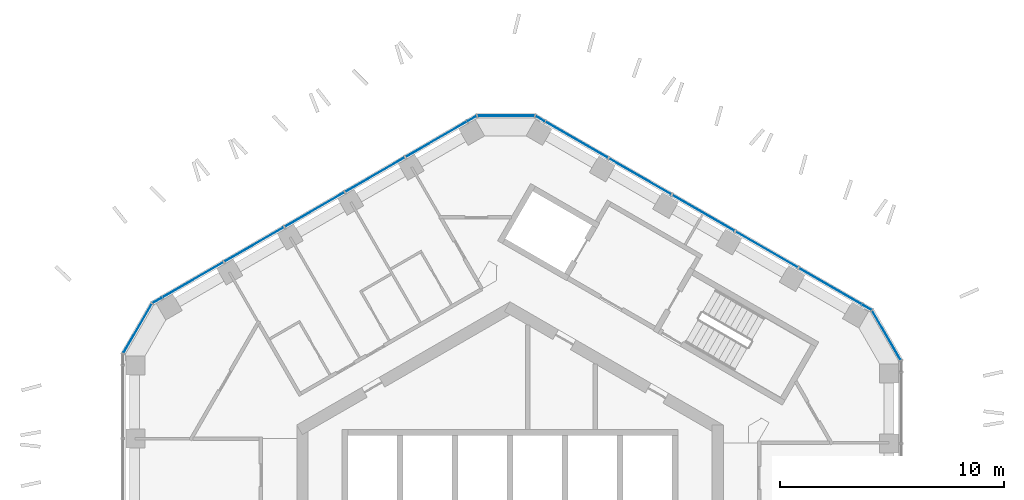
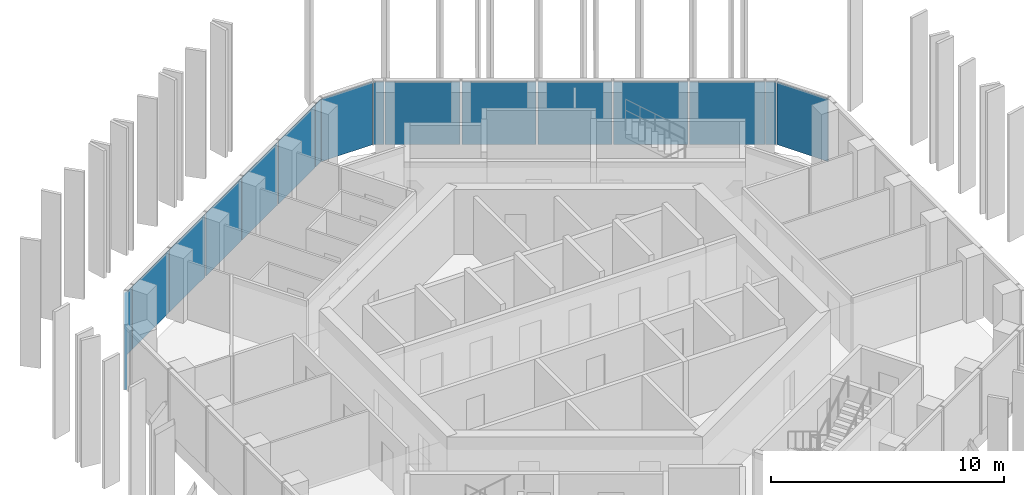
# One storey, part 11 of 18: 17 plates, 5 elements without a shape of their own.
"""IFC4 building model written with IfcOpenShell, lengths in metres."""

import ifcopenshell
import ifcopenshell.guid

model = None  # the IFC model being written
_history = None  # IfcOwnerHistory: only IFC2X3 demands one
_inside = {}  # id of a spatial element -> (the spatial element, [elements in it])
_under = {}  # id of a project, library or spatial element -> (it, [spatial elements below it])
_declared = {}  # id of a project -> (the project, [libraries it declares])
_typed = {}  # id of a type object -> (the type object, [elements of that type])
_made_of = {}  # id of a material, layer set ... -> (it, [elements and type objects made of it])


def new_model(schema):
    """Start an empty IFC model of exactly this schema.

    Asked for "IFC4X3", IfcOpenShell would pick the latest addendum, in which some entities
    have other attributes; the version numbers below select the first issue.
    IFC2X3 requires an IfcOwnerHistory on every rooted entity: one is made here for all.
    """
    global model, _history
    if schema == "IFC4X3":
        model = ifcopenshell.file(schema_version=(4, 3, 0, 0))
    else:
        model = ifcopenshell.file(schema=schema)
    _inside.clear()
    _under.clear()
    _declared.clear()
    _typed.clear()
    _made_of.clear()
    _history = None
    if model.schema == "IFC2X3":
        org = make("IfcOrganization", Name="unknown")
        user = make(
            "IfcPersonAndOrganization",
            ThePerson=make("IfcPerson", FamilyName="unknown"),
            TheOrganization=org,
        )
        app = make(
            "IfcApplication",
            ApplicationDeveloper=org,
            Version="unknown",
            ApplicationFullName="unknown",
            ApplicationIdentifier="unknown",
        )
        _history = make(
            "IfcOwnerHistory",
            OwningUser=user,
            OwningApplication=app,
            ChangeAction="ADDED",
            CreationDate=0,
        )
    return model


def make(cls, **values):
    """One entity of the class cls with the attributes given. An attribute that is None is left unset."""
    return model.create_entity(
        cls, **{name: value for name, value in values.items() if value is not None}
    )


def rooted(cls, **values):
    """An entity with a GlobalId (a new one), such as an element, a storey or a relation."""
    return make(cls, GlobalId=ifcopenshell.guid.new(), OwnerHistory=_history, **values)


def si_unit(unit_type, name, prefix=None):
    """IfcSIUnit, for example si_unit("LENGTHUNIT", "METRE", prefix="MILLI")."""
    return make("IfcSIUnit", UnitType=unit_type, Prefix=prefix, Name=name)


def assignment(units):
    """IfcUnitAssignment: the units of a project."""
    return None if units is None else make("IfcUnitAssignment", Units=units)


def point(xyz):
    """IfcCartesianPoint."""
    return None if xyz is None else make("IfcCartesianPoint", Coordinates=xyz)


def direction(xyz):
    """IfcDirection."""
    return None if xyz is None else make("IfcDirection", DirectionRatios=xyz)


def frame(location, z_axis=None, x_axis=None):
    """IfcAxis2Placement3D, a coordinate frame: its origin and axes. An axis left out is left unset."""
    return make(
        "IfcAxis2Placement3D",
        Location=point(location),
        Axis=direction(z_axis),
        RefDirection=direction(x_axis),
    )


def frame_2d(location, x_axis=None):
    """IfcAxis2Placement2D, a coordinate frame in the plane: its origin and x axis."""
    return make(
        "IfcAxis2Placement2D", Location=point(location), RefDirection=direction(x_axis)
    )


def origin():
    """The frame at (0, 0, 0) with its axes left unset."""
    return frame((0.0, 0.0, 0.0))


def origin_2d():
    """The frame at (0, 0) in the plane with its x axis left unset."""
    return frame_2d((0.0, 0.0))


def place(relative_to, where):
    """IfcLocalPlacement: puts the frame where relative to a parent placement (None: the world)."""
    return make(
        "IfcLocalPlacement", PlacementRelTo=relative_to, RelativePlacement=where
    )


def context(
    kind, dimensions, precision=None, world=None, true_north=None, identifier=None
):
    """IfcGeometricRepresentationContext, for example the 3D "Model" context."""
    return make(
        "IfcGeometricRepresentationContext",
        ContextIdentifier=identifier,
        ContextType=kind,
        CoordinateSpaceDimension=dimensions,
        Precision=precision,
        WorldCoordinateSystem=world,
        TrueNorth=true_north,
    )


def subcontext(parent, identifier, kind, view, scale=None):
    """IfcGeometricRepresentationSubContext, for example "Body" below "Model"."""
    return make(
        "IfcGeometricRepresentationSubContext",
        ContextIdentifier=identifier,
        ContextType=kind,
        ParentContext=parent,
        TargetScale=scale,
        TargetView=view,
    )


def project(units=None, contexts=None):
    """IfcProject with its units and contexts."""
    return rooted(
        "IfcProject",
        Name="project",
        RepresentationContexts=contexts,
        UnitsInContext=assignment(units),
    )


def spatial(cls, under=None, at=None, **own):
    """A site, building, storey or space (cls), placed at a placement, below another one or the project."""
    s = rooted(cls, ObjectPlacement=at, **own)
    if under is not None:
        _under.setdefault(under.id(), (under, []))[1].append(s)
    return s


def profile(cls, at=None, kind="AREA", **sizes):
    """A parametric profile (cls). Its sizes go by their IFC names, for example OverallWidth=200.0."""
    return make(cls, ProfileType=kind, Position=at, **sizes)


def rectangle(**sizes):
    """IfcRectangleProfileDef."""
    return profile("IfcRectangleProfileDef", **sizes)


def extrude(swept, where, along, depth):
    """IfcExtrudedAreaSolid: the profile swept, set in the frame where, extruded along a direction by depth."""
    return make(
        "IfcExtrudedAreaSolid",
        SweptArea=swept,
        Position=where,
        ExtrudedDirection=direction(along),
        Depth=depth,
    )


def shape(context_of_items, identifier, shape_type, items):
    """IfcShapeRepresentation: the items that make up one representation, for example the "Body"."""
    return make(
        "IfcShapeRepresentation",
        ContextOfItems=context_of_items,
        RepresentationIdentifier=identifier,
        RepresentationType=shape_type,
        Items=items,
    )


def material(Name=None, Category=None):
    """IfcMaterial."""
    return make("IfcMaterial", Name=Name, Category=Category)


def layer(
    of_material, thickness, ventilated=None, Name=None, Category=None, Priority=None
):
    """IfcMaterialLayer: one layer of a wall or slab, of a material (None: an air gap)."""
    return make(
        "IfcMaterialLayer",
        Material=of_material,
        LayerThickness=thickness,
        IsVentilated=ventilated,
        Name=Name,
        Category=Category,
        Priority=Priority,
    )


def layer_set(layers, Name=None):
    """IfcMaterialLayerSet."""
    return make("IfcMaterialLayerSet", MaterialLayers=layers, LayerSetName=Name)


def made_of(thing, what):
    """Note that an element or type object is made of a material, layer set ...; save() writes the relation."""
    if what is not None:
        _made_of.setdefault(what.id(), (what, []))[1].append(thing)
    return thing


def type_object(cls, material=None, **own):
    """A type object (cls), such as IfcWallType, which elements share."""
    return made_of(rooted(cls, **own), material)


def element(
    cls,
    number,
    at=None,
    inside=None,
    cuts=None,
    type_object=None,
    material=None,
    context=None,
    identifier="Body",
    shape_type=None,
    held_by="IfcProductDefinitionShape",
    body=None,
    shapes=None,
    **own,
):
    """One element of the class cls, such as IfcWall. Its Tag is "e" and its number.

    at: its placement. inside: the storey or other place that contains it. cuts: it is an
    opening in that element (IfcRelVoidsElement). A single representation is given by context,
    identifier, shape_type and body (its items); several are given by shapes. held_by: the class
    of the entity that holds the representations. save() writes the other relations.
    """
    e = rooted(cls, Tag="e%d" % number, ObjectPlacement=at, **own)
    if body is not None:
        shapes = [shape(context, identifier, shape_type, body)]
    if shapes is not None:
        e.Representation = make(held_by, Representations=shapes)
    if inside is not None:
        _inside.setdefault(inside.id(), (inside, []))[1].append(e)
    if cuts is not None:
        rooted(
            "IfcRelVoidsElement", RelatingBuildingElement=cuts, RelatedOpeningElement=e
        )
    if type_object is not None:
        _typed.setdefault(type_object.id(), (type_object, []))[1].append(e)
    return made_of(e, material)


def aggregate(whole, parts):
    """IfcRelAggregates: a whole, such as a stair, and the parts it consists of."""
    return rooted("IfcRelAggregates", RelatingObject=whole, RelatedObjects=parts)


def save(model, path):
    """Write the relations noted so far, then the file.

    IfcRelAggregates (storeys below a building ...), IfcRelContainedInSpatialStructure (elements
    in a storey), IfcRelDefinesByType, IfcRelAssociatesMaterial and IfcRelDeclares: one each for
    every whole, place, type object, material and project.
    """
    for whole, parts in _under.values():
        aggregate(whole, parts)
    for where, things in _inside.values():
        rooted(
            "IfcRelContainedInSpatialStructure",
            RelatedElements=things,
            RelatingStructure=where,
        )
    for kind, things in _typed.values():
        rooted("IfcRelDefinesByType", RelatedObjects=things, RelatingType=kind)
    for what, things in _made_of.values():
        rooted("IfcRelAssociatesMaterial", RelatedObjects=things, RelatingMaterial=what)
    for by, libraries in _declared.values():
        rooted("IfcRelDeclares", RelatingContext=by, RelatedDefinitions=libraries)
    model.write(path)


model = new_model("IFC4")

# Units and contexts
model_context = context("Model", 3, precision=1e-05, world=origin(), true_north=direction((0.0, 1.0)))
body_context = subcontext(model_context, "Body", "Model", "MODEL_VIEW")
ifc_project = project(units=[si_unit("LENGTHUNIT", "METRE"), si_unit("AREAUNIT", "SQUARE_METRE"), si_unit("VOLUMEUNIT", "CUBIC_METRE"), si_unit("PLANEANGLEUNIT", "RADIAN"), si_unit("MASSUNIT", "GRAM", prefix="KILO")], contexts=[model_context])

# Site, building, storey
site_placement = place(None, origin())
site = spatial("IfcSite", under=ifc_project, at=site_placement, CompositionType="ELEMENT")
building_placement = place(site_placement, origin())
building = spatial("IfcBuilding", under=site, at=building_placement, Name="Ayvan Gate Tower", CompositionType="ELEMENT")
storey_placement = place(building_placement, frame((0.0, 0.0, 229.10009765625)))
storey = spatial("IfcBuildingStorey", under=building, at=storey_placement, Name="L61", CompositionType="ELEMENT", Elevation=229.10009765625)

# Curtain wall, plates
ifc_material_1 = material(Name="Bronze anodised aluminium", Category="aluminium")
ifc_layer_1 = layer(ifc_material_1, 0.199951171875)
ifc_layer_set_1 = layer_set([ifc_layer_1], Name="Bronze anodised aluminium")
curtain_wall_type_1 = type_object("IfcCurtainWallType", Name="Stick curtain wall CW-2", PredefinedType="NOTDEFINED", material=ifc_layer_set_1)
curtain_wall_1_placement = place(storey_placement, origin())
curtain_wall_1 = element("IfcCurtainWall", 1, at=curtain_wall_1_placement, inside=storey, type_object=curtain_wall_type_1, Name="Stick curtain wall CW-2 L61", PredefinedType="NOTDEFINED")
ifc_material_2 = material(Name="Clear low-iron laminated glass", Category="glass")
ifc_layer_2 = layer(ifc_material_2, 0.028076171875)
ifc_layer_set_2 = layer_set([ifc_layer_2], Name="Clear low-iron laminated glass")
plate_type_1 = type_object("IfcPlateType", Name="Stick curtain wall CW-2 glass panel", PredefinedType="CURTAIN_PANEL", material=ifc_layer_set_2)
plate_1_placement = place(storey_placement, frame((-3.272705078125, 18.216552734375, 0.0), z_axis=(0.0, 0.0, 1.0), x_axis=(-0.866025403784, -0.5, 0.0)))
plate_1 = element("IfcPlate", 2, at=plate_1_placement, type_object=plate_type_1, Name="CW-2 glass panel 1", PredefinedType="CURTAIN_PANEL", context=body_context, shape_type="SweptSolid", body=[
    extrude(rectangle(XDim=3.14501953125, YDim=0.028076171875, at=origin_2d()), origin(), (0.0, 0.0, 1.0), 3.280029296875),
])
plate_2_placement = place(storey_placement, frame((-6.011962890625, 16.63525390625, 0.0), z_axis=(0.0, 0.0, 1.0), x_axis=(-0.866025403784, -0.5, 0.0)))
plate_2 = element("IfcPlate", 3, at=plate_2_placement, type_object=plate_type_1, Name="CW-2 glass panel 2", PredefinedType="CURTAIN_PANEL", context=body_context, shape_type="SweptSolid", body=[
    extrude(rectangle(XDim=3.041015625, YDim=0.028076171875, at=origin_2d()), origin(), (0.0, 0.0, 1.0), 3.280029296875),
])
plate_3_placement = place(storey_placement, frame((-8.706298828125, 15.07958984375, 0.0), z_axis=(0.0, 0.0, 1.0), x_axis=(-0.866025403784, -0.5, 0.0)))
plate_3 = element("IfcPlate", 4, at=plate_3_placement, type_object=plate_type_1, Name="CW-2 glass panel 3", PredefinedType="CURTAIN_PANEL", context=body_context, shape_type="SweptSolid", body=[
    extrude(rectangle(XDim=3.041015625, YDim=0.028076171875, at=origin_2d()), origin(), (0.0, 0.0, 1.0), 3.280029296875),
])
plate_4_placement = place(storey_placement, frame((-11.400390625, 13.524169921875, 0.0), z_axis=(0.0, 0.0, 1.0), x_axis=(-0.866025403784, -0.5, 0.0)))
plate_4 = element("IfcPlate", 5, at=plate_4_placement, type_object=plate_type_1, Name="CW-2 glass panel 4", PredefinedType="CURTAIN_PANEL", context=body_context, shape_type="SweptSolid", body=[
    extrude(rectangle(XDim=3.041015625, YDim=0.028076171875, at=origin_2d()), origin(), (0.0, 0.0, 1.0), 3.280029296875),
])
plate_5_placement = place(storey_placement, frame((-14.1396484375, 11.942626953125, 0.0), z_axis=(0.0, 0.0, 1.0), x_axis=(-0.866025403784, -0.5, 0.0)))
plate_5 = element("IfcPlate", 6, at=plate_5_placement, type_object=plate_type_1, Name="CW-2 glass panel 5", PredefinedType="CURTAIN_PANEL", context=body_context, shape_type="SweptSolid", body=[
    extrude(rectangle(XDim=3.14501953125, YDim=0.028076171875, at=origin_2d()), origin(), (0.0, 0.0, 1.0), 3.280029296875),
])
aggregate(curtain_wall_1, [plate_1, plate_2, plate_3, plate_4, plate_5])

curtain_wall_2_placement = place(storey_placement, origin())
curtain_wall_2 = element("IfcCurtainWall", 7, at=curtain_wall_2_placement, inside=storey, type_object=curtain_wall_type_1, Name="Stick curtain wall CW-2 L61", PredefinedType="NOTDEFINED")
plate_6_placement = place(storey_placement, frame((14.27783203125, 11.6572265625, 0.0), z_axis=(0.0, 0.0, 1.0), x_axis=(-0.866025403784, 0.5, 0.0)))
plate_6 = element("IfcPlate", 8, at=plate_6_placement, type_object=plate_type_1, Name="CW-2 glass panel 1", PredefinedType="CURTAIN_PANEL", context=body_context, shape_type="SweptSolid", body=[
    extrude(rectangle(XDim=3.237060546875, YDim=0.028076171875, at=origin_2d()), origin(), (0.0, 0.0, 1.0), 3.280029296875),
])
plate_7_placement = place(storey_placement, frame((11.4365234375, 13.2978515625, 0.0), z_axis=(0.0, 0.0, 1.0), x_axis=(-0.866025403784, 0.5, 0.0)))
plate_7 = element("IfcPlate", 9, at=plate_7_placement, type_object=plate_type_1, Name="CW-2 glass panel 2", PredefinedType="CURTAIN_PANEL", context=body_context, shape_type="SweptSolid", body=[
    extrude(rectangle(XDim=3.18505859375, YDim=0.028076171875, at=origin_2d()), origin(), (0.0, 0.0, 1.0), 3.280029296875),
])
plate_8_placement = place(storey_placement, frame((8.617431640625, 14.92529296875, 0.0), z_axis=(0.0, 0.0, 1.0), x_axis=(-0.866025403784, 0.5, 0.0)))
plate_8 = element("IfcPlate", 10, at=plate_8_placement, type_object=plate_type_1, Name="CW-2 glass panel 3", PredefinedType="CURTAIN_PANEL", context=body_context, shape_type="SweptSolid", body=[
    extrude(rectangle(XDim=3.18505859375, YDim=0.028076171875, at=origin_2d()), origin(), (0.0, 0.0, 1.0), 3.280029296875),
])
plate_9_placement = place(storey_placement, frame((5.798095703125, 16.552978515625, 0.0), z_axis=(0.0, 0.0, 1.0), x_axis=(-0.866025403784, 0.5, 0.0)))
plate_9 = element("IfcPlate", 11, at=plate_9_placement, type_object=plate_type_1, Name="CW-2 glass panel 4", PredefinedType="CURTAIN_PANEL", context=body_context, shape_type="SweptSolid", body=[
    extrude(rectangle(XDim=3.18603515625, YDim=0.028076171875, at=origin_2d()), origin(), (0.0, 0.0, 1.0), 3.280029296875),
])
plate_10_placement = place(storey_placement, frame((2.95654296875, 18.193603515625, 0.0), z_axis=(0.0, 0.0, 1.0), x_axis=(-0.866025403784, 0.5, 0.0)))
plate_10 = element("IfcPlate", 12, at=plate_10_placement, type_object=plate_type_1, Name="CW-2 glass panel 5", PredefinedType="CURTAIN_PANEL", context=body_context, shape_type="SweptSolid", body=[
    extrude(rectangle(XDim=3.23681640625, YDim=0.028076171875, at=origin_2d()), origin(), (0.0, 0.0, 1.0), 3.280029296875),
])
aggregate(curtain_wall_2, [plate_6, plate_7, plate_8, plate_9, plate_10])

ifc_layer_3 = layer(ifc_material_1, 0.199951171875)
ifc_layer_set_3 = layer_set([ifc_layer_3], Name="Bronze anodised aluminium")
curtain_wall_type_2 = type_object("IfcCurtainWallType", Name="Stick curtain wall CW-6", PredefinedType="NOTDEFINED", material=ifc_layer_set_3)
curtain_wall_3_placement = place(storey_placement, origin())
curtain_wall_3 = element("IfcCurtainWall", 13, at=curtain_wall_3_placement, inside=storey, type_object=curtain_wall_type_2, Name="Stick curtain wall CW-6 L61", PredefinedType="NOTDEFINED")
ifc_layer_4 = layer(ifc_material_2, 0.028076171875)
ifc_layer_set_4 = layer_set([ifc_layer_4], Name="Clear low-iron laminated glass")
plate_type_2 = type_object("IfcPlateType", Name="Stick curtain wall CW-6 glass panel", PredefinedType="CURTAIN_PANEL", material=ifc_layer_set_4)
plate_11_placement = place(storey_placement, frame((-15.7265625, 11.0263671875, 0.0), z_axis=(0.0, 0.0, 1.0), x_axis=(-0.866025403784, -0.5, 0.0)))
plate_11 = element("IfcPlate", 14, at=plate_11_placement, type_object=plate_type_2, Name="CW-6 glass panel 1", PredefinedType="CURTAIN_PANEL", context=body_context, shape_type="SweptSolid", body=[
    extrude(rectangle(XDim=0.449951171875, YDim=0.028076171875, at=origin_2d()), origin(), (0.0, 0.0, 1.0), 3.280029296875),
])
plate_12_placement = place(storey_placement, frame((-16.5888671875, 9.783203125, 0.0), z_axis=(0.0, 0.0, 1.0), x_axis=(-0.5, -0.866025403784, 0.0)))
plate_12 = element("IfcPlate", 15, at=plate_12_placement, type_object=plate_type_2, Name="CW-6 glass panel 2", PredefinedType="CURTAIN_PANEL", context=body_context, shape_type="SweptSolid", body=[
    extrude(rectangle(XDim=2.532470703125, YDim=0.028076171875, at=origin_2d()), origin(), (0.0, 0.0, 1.0), 3.280029296875),
])
aggregate(curtain_wall_3, [plate_11, plate_12])

curtain_wall_4_placement = place(storey_placement, origin())
curtain_wall_4 = element("IfcCurtainWall", 16, at=curtain_wall_4_placement, inside=storey, type_object=curtain_wall_type_2, Name="Stick curtain wall CW-6 L61", PredefinedType="NOTDEFINED")
plate_13_placement = place(storey_placement, frame((16.766845703125, 9.474853515625, 0.0), z_axis=(0.0, 0.0, 1.0), x_axis=(-0.5, 0.866025403784, 0.0)))
plate_13 = element("IfcPlate", 17, at=plate_13_placement, type_object=plate_type_2, Name="CW-6 glass panel 2", PredefinedType="CURTAIN_PANEL", context=body_context, shape_type="SweptSolid", body=[
    extrude(rectangle(XDim=2.532470703125, YDim=0.028076171875, at=origin_2d()), origin(), (0.0, 0.0, 1.0), 3.280029296875),
])
plate_14_placement = place(storey_placement, frame((15.90478515625, 10.718017578125, 0.0), z_axis=(0.0, 0.0, 1.0), x_axis=(-0.866025403784, 0.5, 0.0)))
plate_14 = element("IfcPlate", 18, at=plate_14_placement, type_object=plate_type_2, Name="CW-6 glass panel 3", PredefinedType="CURTAIN_PANEL", context=body_context, shape_type="SweptSolid", body=[
    extrude(rectangle(XDim=0.449951171875, YDim=0.028076171875, at=origin_2d()), origin(), (0.0, 0.0, 1.0), 3.280029296875),
])
aggregate(curtain_wall_4, [plate_13, plate_14])

curtain_wall_5_placement = place(storey_placement, origin())
curtain_wall_5 = element("IfcCurtainWall", 19, at=curtain_wall_5_placement, inside=storey, type_object=curtain_wall_type_2, Name="Stick curtain wall CW-6 L61", PredefinedType="NOTDEFINED")
plate_15_placement = place(storey_placement, frame((1.329833984375, 19.1328125, 0.0), z_axis=(0.0, 0.0, 1.0), x_axis=(-0.866025403784, 0.5, 0.0)))
plate_15 = element("IfcPlate", 20, at=plate_15_placement, type_object=plate_type_2, Name="CW-6 glass panel 1", PredefinedType="CURTAIN_PANEL", context=body_context, shape_type="SweptSolid", body=[
    extrude(rectangle(XDim=0.449951171875, YDim=0.028076171875, at=origin_2d()), origin(), (0.0, 0.0, 1.0), 3.280029296875),
])
plate_16_placement = place(storey_placement, frame((-0.177978515625, 19.2578125, 0.0), z_axis=(0.0, 0.0, 1.0), x_axis=(-1.0, 0.0, 0.0)))
plate_16 = element("IfcPlate", 21, at=plate_16_placement, type_object=plate_type_2, Name="CW-6 glass panel 2", PredefinedType="CURTAIN_PANEL", context=body_context, shape_type="SweptSolid", body=[
    extrude(rectangle(XDim=2.532470703125, YDim=0.028076171875, at=origin_2d()), origin(), (0.0, 0.0, 1.0), 3.280029296875),
])
plate_17_placement = place(storey_placement, frame((-1.685791015625, 19.1328125, 0.0), z_axis=(0.0, 0.0, 1.0), x_axis=(-0.866025403784, -0.5, 0.0)))
plate_17 = element("IfcPlate", 22, at=plate_17_placement, type_object=plate_type_2, Name="CW-6 glass panel 3", PredefinedType="CURTAIN_PANEL", context=body_context, shape_type="SweptSolid", body=[
    extrude(rectangle(XDim=0.449951171875, YDim=0.028076171875, at=origin_2d()), origin(), (0.0, 0.0, 1.0), 3.280029296875),
])
aggregate(curtain_wall_5, [plate_15, plate_16, plate_17])

save(model, "model.ifc")
